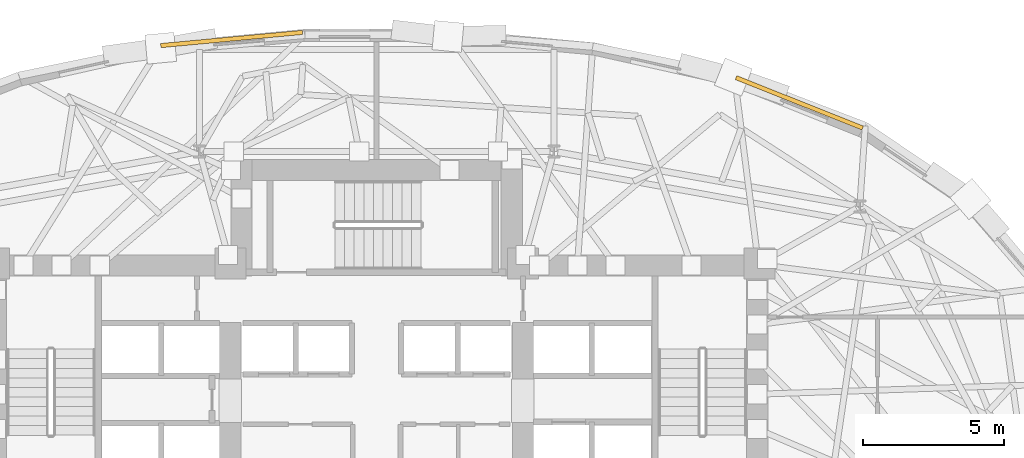
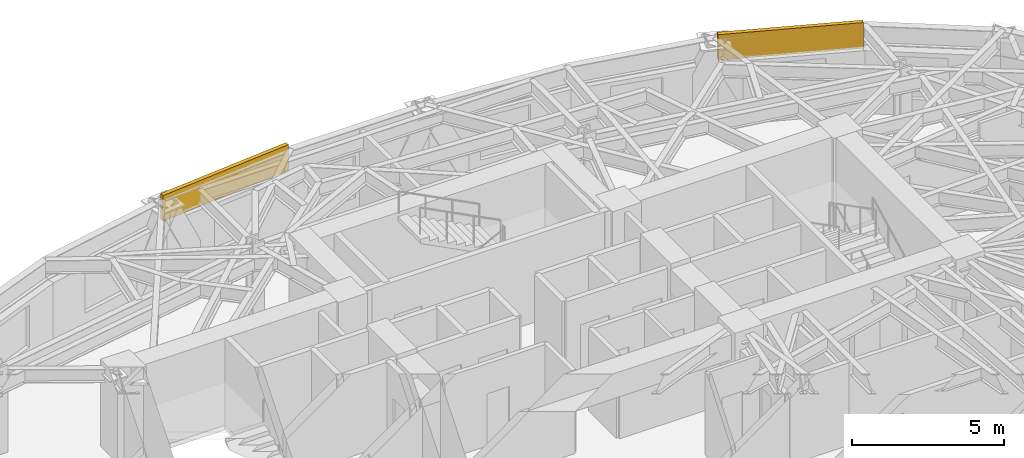
# One storey, part 14 of 14: 2 coverings.
"""IFC4 building model written with IfcOpenShell, lengths in metres."""

import ifcopenshell
import ifcopenshell.guid

model = None  # the IFC model being written
_history = None  # IfcOwnerHistory: only IFC2X3 demands one
_inside = {}  # id of a spatial element -> (the spatial element, [elements in it])
_under = {}  # id of a project, library or spatial element -> (it, [spatial elements below it])
_declared = {}  # id of a project -> (the project, [libraries it declares])
_typed = {}  # id of a type object -> (the type object, [elements of that type])
_made_of = {}  # id of a material, layer set ... -> (it, [elements and type objects made of it])


def new_model(schema):
    """Start an empty IFC model of exactly this schema.

    Asked for "IFC4X3", IfcOpenShell would pick the latest addendum, in which some entities
    have other attributes; the version numbers below select the first issue.
    IFC2X3 requires an IfcOwnerHistory on every rooted entity: one is made here for all.
    """
    global model, _history
    if schema == "IFC4X3":
        model = ifcopenshell.file(schema_version=(4, 3, 0, 0))
    else:
        model = ifcopenshell.file(schema=schema)
    _inside.clear()
    _under.clear()
    _declared.clear()
    _typed.clear()
    _made_of.clear()
    _history = None
    if model.schema == "IFC2X3":
        org = make("IfcOrganization", Name="unknown")
        user = make(
            "IfcPersonAndOrganization",
            ThePerson=make("IfcPerson", FamilyName="unknown"),
            TheOrganization=org,
        )
        app = make(
            "IfcApplication",
            ApplicationDeveloper=org,
            Version="unknown",
            ApplicationFullName="unknown",
            ApplicationIdentifier="unknown",
        )
        _history = make(
            "IfcOwnerHistory",
            OwningUser=user,
            OwningApplication=app,
            ChangeAction="ADDED",
            CreationDate=0,
        )
    return model


def make(cls, **values):
    """One entity of the class cls with the attributes given. An attribute that is None is left unset."""
    return model.create_entity(
        cls, **{name: value for name, value in values.items() if value is not None}
    )


def rooted(cls, **values):
    """An entity with a GlobalId (a new one), such as an element, a storey or a relation."""
    return make(cls, GlobalId=ifcopenshell.guid.new(), OwnerHistory=_history, **values)


def si_unit(unit_type, name, prefix=None):
    """IfcSIUnit, for example si_unit("LENGTHUNIT", "METRE", prefix="MILLI")."""
    return make("IfcSIUnit", UnitType=unit_type, Prefix=prefix, Name=name)


def assignment(units):
    """IfcUnitAssignment: the units of a project."""
    return None if units is None else make("IfcUnitAssignment", Units=units)


def point(xyz):
    """IfcCartesianPoint."""
    return None if xyz is None else make("IfcCartesianPoint", Coordinates=xyz)


def direction(xyz):
    """IfcDirection."""
    return None if xyz is None else make("IfcDirection", DirectionRatios=xyz)


def frame(location, z_axis=None, x_axis=None):
    """IfcAxis2Placement3D, a coordinate frame: its origin and axes. An axis left out is left unset."""
    return make(
        "IfcAxis2Placement3D",
        Location=point(location),
        Axis=direction(z_axis),
        RefDirection=direction(x_axis),
    )


def frame_2d(location, x_axis=None):
    """IfcAxis2Placement2D, a coordinate frame in the plane: its origin and x axis."""
    return make(
        "IfcAxis2Placement2D", Location=point(location), RefDirection=direction(x_axis)
    )


def origin():
    """The frame at (0, 0, 0) with its axes left unset."""
    return frame((0.0, 0.0, 0.0))


def origin_2d():
    """The frame at (0, 0) in the plane with its x axis left unset."""
    return frame_2d((0.0, 0.0))


def place(relative_to, where):
    """IfcLocalPlacement: puts the frame where relative to a parent placement (None: the world)."""
    return make(
        "IfcLocalPlacement", PlacementRelTo=relative_to, RelativePlacement=where
    )


def context(
    kind, dimensions, precision=None, world=None, true_north=None, identifier=None
):
    """IfcGeometricRepresentationContext, for example the 3D "Model" context."""
    return make(
        "IfcGeometricRepresentationContext",
        ContextIdentifier=identifier,
        ContextType=kind,
        CoordinateSpaceDimension=dimensions,
        Precision=precision,
        WorldCoordinateSystem=world,
        TrueNorth=true_north,
    )


def subcontext(parent, identifier, kind, view, scale=None):
    """IfcGeometricRepresentationSubContext, for example "Body" below "Model"."""
    return make(
        "IfcGeometricRepresentationSubContext",
        ContextIdentifier=identifier,
        ContextType=kind,
        ParentContext=parent,
        TargetScale=scale,
        TargetView=view,
    )


def project(units=None, contexts=None):
    """IfcProject with its units and contexts."""
    return rooted(
        "IfcProject",
        Name="project",
        RepresentationContexts=contexts,
        UnitsInContext=assignment(units),
    )


def spatial(cls, under=None, at=None, **own):
    """A site, building, storey or space (cls), placed at a placement, below another one or the project."""
    s = rooted(cls, ObjectPlacement=at, **own)
    if under is not None:
        _under.setdefault(under.id(), (under, []))[1].append(s)
    return s


def profile(cls, at=None, kind="AREA", **sizes):
    """A parametric profile (cls). Its sizes go by their IFC names, for example OverallWidth=200.0."""
    return make(cls, ProfileType=kind, Position=at, **sizes)


def rectangle(**sizes):
    """IfcRectangleProfileDef."""
    return profile("IfcRectangleProfileDef", **sizes)


def extrude(swept, where, along, depth):
    """IfcExtrudedAreaSolid: the profile swept, set in the frame where, extruded along a direction by depth."""
    return make(
        "IfcExtrudedAreaSolid",
        SweptArea=swept,
        Position=where,
        ExtrudedDirection=direction(along),
        Depth=depth,
    )


def shape(context_of_items, identifier, shape_type, items):
    """IfcShapeRepresentation: the items that make up one representation, for example the "Body"."""
    return make(
        "IfcShapeRepresentation",
        ContextOfItems=context_of_items,
        RepresentationIdentifier=identifier,
        RepresentationType=shape_type,
        Items=items,
    )


def material(Name=None, Category=None):
    """IfcMaterial."""
    return make("IfcMaterial", Name=Name, Category=Category)


def layer(
    of_material, thickness, ventilated=None, Name=None, Category=None, Priority=None
):
    """IfcMaterialLayer: one layer of a wall or slab, of a material (None: an air gap)."""
    return make(
        "IfcMaterialLayer",
        Material=of_material,
        LayerThickness=thickness,
        IsVentilated=ventilated,
        Name=Name,
        Category=Category,
        Priority=Priority,
    )


def layer_set(layers, Name=None):
    """IfcMaterialLayerSet."""
    return make("IfcMaterialLayerSet", MaterialLayers=layers, LayerSetName=Name)


def made_of(thing, what):
    """Note that an element or type object is made of a material, layer set ...; save() writes the relation."""
    if what is not None:
        _made_of.setdefault(what.id(), (what, []))[1].append(thing)
    return thing


def type_object(cls, material=None, **own):
    """A type object (cls), such as IfcWallType, which elements share."""
    return made_of(rooted(cls, **own), material)


def element(
    cls,
    number,
    at=None,
    inside=None,
    cuts=None,
    type_object=None,
    material=None,
    context=None,
    identifier="Body",
    shape_type=None,
    held_by="IfcProductDefinitionShape",
    body=None,
    shapes=None,
    **own,
):
    """One element of the class cls, such as IfcWall. Its Tag is "e" and its number.

    at: its placement. inside: the storey or other place that contains it. cuts: it is an
    opening in that element (IfcRelVoidsElement). A single representation is given by context,
    identifier, shape_type and body (its items); several are given by shapes. held_by: the class
    of the entity that holds the representations. save() writes the other relations.
    """
    e = rooted(cls, Tag="e%d" % number, ObjectPlacement=at, **own)
    if body is not None:
        shapes = [shape(context, identifier, shape_type, body)]
    if shapes is not None:
        e.Representation = make(held_by, Representations=shapes)
    if inside is not None:
        _inside.setdefault(inside.id(), (inside, []))[1].append(e)
    if cuts is not None:
        rooted(
            "IfcRelVoidsElement", RelatingBuildingElement=cuts, RelatedOpeningElement=e
        )
    if type_object is not None:
        _typed.setdefault(type_object.id(), (type_object, []))[1].append(e)
    return made_of(e, material)


def aggregate(whole, parts):
    """IfcRelAggregates: a whole, such as a stair, and the parts it consists of."""
    return rooted("IfcRelAggregates", RelatingObject=whole, RelatedObjects=parts)


def save(model, path):
    """Write the relations noted so far, then the file.

    IfcRelAggregates (storeys below a building ...), IfcRelContainedInSpatialStructure (elements
    in a storey), IfcRelDefinesByType, IfcRelAssociatesMaterial and IfcRelDeclares: one each for
    every whole, place, type object, material and project.
    """
    for whole, parts in _under.values():
        aggregate(whole, parts)
    for where, things in _inside.values():
        rooted(
            "IfcRelContainedInSpatialStructure",
            RelatedElements=things,
            RelatingStructure=where,
        )
    for kind, things in _typed.values():
        rooted("IfcRelDefinesByType", RelatedObjects=things, RelatingType=kind)
    for what, things in _made_of.values():
        rooted("IfcRelAssociatesMaterial", RelatedObjects=things, RelatingMaterial=what)
    for by, libraries in _declared.values():
        rooted("IfcRelDeclares", RelatingContext=by, RelatedDefinitions=libraries)
    model.write(path)


model = new_model("IFC4")

# Units and contexts
model_context = context("Model", 3, precision=1e-05, world=origin(), true_north=direction((0.0, 1.0)))
body_context = subcontext(model_context, "Body", "Model", "MODEL_VIEW")
ifc_project = project(units=[si_unit("LENGTHUNIT", "METRE"), si_unit("AREAUNIT", "SQUARE_METRE"), si_unit("VOLUMEUNIT", "CUBIC_METRE"), si_unit("PLANEANGLEUNIT", "RADIAN"), si_unit("MASSUNIT", "GRAM", prefix="KILO")], contexts=[model_context])

# Site, building, storey
site_placement = place(None, origin())
site = spatial("IfcSite", under=ifc_project, at=site_placement, CompositionType="ELEMENT")
building_placement = place(site_placement, origin())
building = spatial("IfcBuilding", under=site, at=building_placement, Name="Keldmark Tower", CompositionType="ELEMENT")
storey_placement = place(building_placement, frame((0.0, 0.0, 121.10009765625)))
storey = spatial("IfcBuildingStorey", under=building, at=storey_placement, Name="L32", CompositionType="ELEMENT", Elevation=121.10009765625)

# Coverings
ifc_material = material(Name="Honed Kasota Buff Dolomitic Limestone", Category="masonry")
ifc_layer = layer(ifc_material, 0.074951171875)
ifc_layer_set = layer_set([ifc_layer], Name="Honed Kasota Buff Dolomitic Limestone")
covering_type = type_object("IfcCoveringType", Name="Kasota Buff Limestone Spandrel Cladding Band", PredefinedType="CLADDING", material=ifc_layer_set)
covering_1_placement = place(storey_placement, frame((15.02001953125, 15.16064453125, 2.45166015625), z_axis=(0.0, 0.0, 1.0), x_axis=(-0.92909384665, 0.369844053782, 0.0)))
element("IfcCovering", 1, at=covering_1_placement, inside=storey, type_object=covering_type, Name="L32 Kasota Limestone Spandrel Band 05", PredefinedType="CLADDING", context=body_context, shape_type="SweptSolid", body=[
    extrude(rectangle(XDim=4.84033203125, YDim=0.14990234375, at=origin_2d()), origin(), (0.0, 0.0, 1.0), 1.028076171875),
])
covering_2_placement = place(storey_placement, frame((-5.15087890625, 17.428955078125, 2.45166015625), z_axis=(0.0, 0.0, 1.0), x_axis=(-0.995681059014, -0.092839801383, 0.0)))
element("IfcCovering", 2, at=covering_2_placement, inside=storey, type_object=covering_type, Name="L32 Kasota Limestone Spandrel Band 09", PredefinedType="CLADDING", context=body_context, shape_type="SweptSolid", body=[
    extrude(rectangle(XDim=5.059326171875, YDim=0.14990234375, at=origin_2d()), origin(), (0.0, 0.0, 1.0), 1.028076171875),
])

save(model, "model.ifc")
